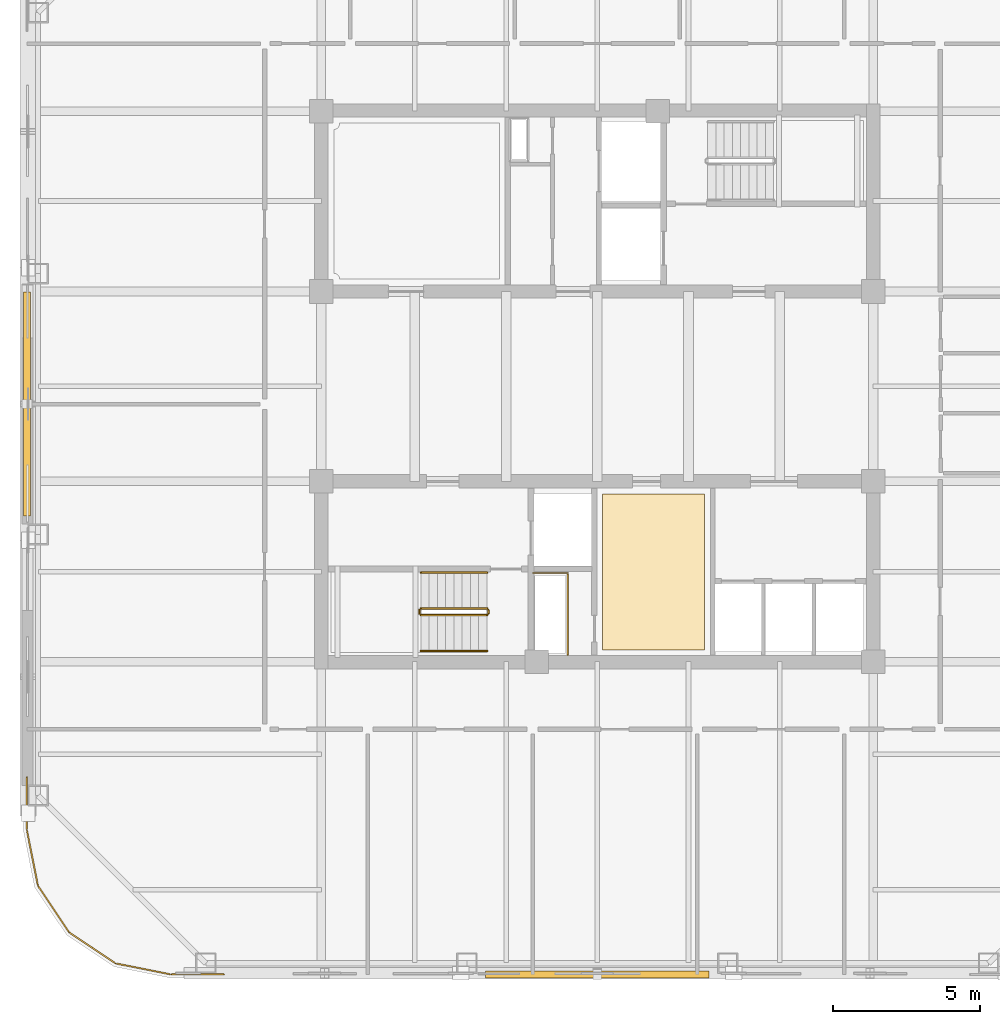
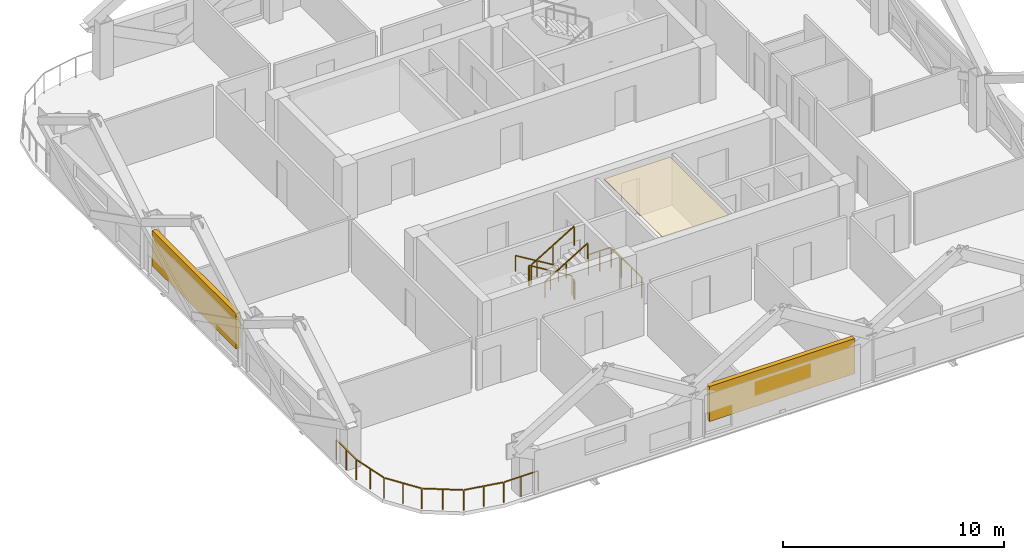
# One storey, part 7 of 9: 8 railings, 2 shading devices, 1 covering.
"""IFC4 building model written with IfcOpenShell, lengths in metres."""

from ifc_helpers import new_model, si_unit, direction, frame, origin, origin_2d, place, context, subcontext, project, spatial, polyline, rectangle, outline, extrude, material, layer, layer_set, type_object, element, save


model = new_model("IFC4")

# Units and contexts
model_context = context("Model", 3, precision=1e-05, world=origin(), true_north=direction((0.0, 1.0)))
body_context = subcontext(model_context, "Body", "Model", "MODEL_VIEW")
ifc_project = project(units=[si_unit("LENGTHUNIT", "METRE"), si_unit("AREAUNIT", "SQUARE_METRE"), si_unit("VOLUMEUNIT", "CUBIC_METRE"), si_unit("PLANEANGLEUNIT", "RADIAN"), si_unit("MASSUNIT", "GRAM", prefix="KILO")], contexts=[model_context])

# Site, building, storey
site_placement = place(None, origin())
site = spatial("IfcSite", under=ifc_project, at=site_placement, CompositionType="ELEMENT")
building_placement = place(site_placement, origin())
building = spatial("IfcBuilding", under=site, at=building_placement, Name="Qhalaya Broadcast Tower", CompositionType="ELEMENT")
storey_placement = place(building_placement, frame((0.0, 0.0, 211.699951171875)))
storey = spatial("IfcBuildingStorey", under=building, at=storey_placement, Name="L62", CompositionType="ELEMENT", Elevation=211.699951171875)

# Covering
ifc_material_1 = material(Name="Acoustic Mineral-Fibre Ceiling")
ifc_layer = layer(ifc_material_1, 0.0400390625, Name="Acoustic Mineral-Fibre Ceiling")
ifc_layer_set = layer_set([ifc_layer], Name="Acoustic Mineral-Fibre Ceiling")
covering_type = type_object("IfcCoveringType", Name="Acoustic Mineral-Fibre Suspended Ceiling CLG-01", PredefinedType="CEILING", material=ifc_layer_set)
covering_placement = place(storey_placement, frame((0.0, 0.0, 2.820068359375)))
element("IfcCovering", 1, at=covering_placement, inside=storey, type_object=covering_type, Name="L62 Acoustic Suspended Ceiling 02", PredefinedType="CEILING", context=body_context, shape_type="SweptSolid", body=[
    extrude(outline(polyline([(0.179931640625, -3.050048828125), (0.179931640625, -8.35009765625), (3.639892578125, -8.35009765625), (3.639892578125, -3.050048828125), (0.179931640625, -3.050048828125)])), origin(), (0.0, 0.0, 1.0), 0.0400390625),
])

# Railings
ifc_material_2 = material(Name="Powder-Coated Galvanised Steel", Category="steel")
railing_type_1 = type_object("IfcRailingType", Name="Stair Wall Handrail 900", PredefinedType="HANDRAIL", material=ifc_material_2)
railing_1_placement = place(storey_placement, frame((-3.75, -5.72998046875, 0.16943359375)))
element("IfcRailing", 2, at=railing_1_placement, inside=storey, type_object=railing_type_1, Name="L62 ST-2 Stair Handrail 1", PredefinedType="HANDRAIL", context=body_context, shape_type="SweptSolid", body=[
    extrude(rectangle(XDim=0.048095703125, YDim=0.048095703125, at=origin_2d()), frame((0.0, 0.0, 0.8759765625), z_axis=(-0.855512035549, 0.0, 0.517782924622), x_axis=(0.0, -1.0, 0.0)), (0.0, 0.0, 1.0), 2.618408203125),
    extrude(rectangle(XDim=0.0419921875, YDim=0.0419921875, at=origin_2d()), origin(), (0.0, 0.0, 1.0), 0.849853515625),
    extrude(rectangle(XDim=0.0419921875, YDim=0.0419921875, at=origin_2d()), frame((-1.1201171875, 0.0, 0.677734375)), (0.0, 0.0, 1.0), 0.849853515625),
    extrude(rectangle(XDim=0.0419921875, YDim=0.0419921875, at=origin_2d()), frame((-2.239990234375, 0.0, 1.355712890625)), (0.0, 0.0, 1.0), 0.849853515625),
])
railing_2_placement = place(storey_placement, frame((-5.989990234375, -8.389892578125, 1.694580078125)))
element("IfcRailing", 3, at=railing_2_placement, inside=storey, type_object=railing_type_1, Name="L62 ST-2 Stair Handrail 2", PredefinedType="HANDRAIL", context=body_context, shape_type="SweptSolid", body=[
    extrude(rectangle(XDim=0.048095703125, YDim=0.048095703125, at=origin_2d()), frame((0.0, 0.0, 0.8759765625), z_axis=(0.855553338991, 0.0, 0.51771467445), x_axis=(0.0, 1.0, 0.0)), (0.0, 0.0, 1.0), 2.6181640625),
    extrude(rectangle(XDim=0.0419921875, YDim=0.0419921875, at=origin_2d()), origin(), (0.0, 0.0, 1.0), 0.849853515625),
    extrude(rectangle(XDim=0.0419921875, YDim=0.0419921875, at=origin_2d()), frame((1.1201171875, 0.0, 0.677734375)), (0.0, 0.0, 1.0), 0.849853515625),
    extrude(rectangle(XDim=0.0419921875, YDim=0.0419921875, at=origin_2d()), frame((2.239990234375, 0.0, 1.35546875)), (0.0, 0.0, 1.0), 0.849853515625),
])
railing_type_2 = type_object("IfcRailingType", Name="Stair Well & Landing Guardrail 1100", PredefinedType="GUARDRAIL", material=ifc_material_2)
railing_3_placement = place(storey_placement, frame((-1.0, -8.52001953125, 0.0)))
element("IfcRailing", 4, at=railing_3_placement, inside=storey, type_object=railing_type_2, Name="L62 Service Riser Opening Safety Guard SRSR", PredefinedType="GUARDRAIL", context=body_context, shape_type="SweptSolid", body=[
    extrude(rectangle(XDim=0.048095703125, YDim=0.048095703125, at=origin_2d()), frame((0.0, 0.0, 1.1259765625), z_axis=(0.0, 1.0, 0.0), x_axis=(-1.0, 0.0, 0.0)), (0.0, 0.0, 1.0), 2.751220703125),
    extrude(rectangle(XDim=0.048095703125, YDim=0.048095703125, at=origin_2d()), frame((-0.02880859375, 2.780029296875, 1.1259765625), z_axis=(-1.0, 0.0, 0.0), x_axis=(0.0, -1.0, 0.0)), (0.0, 0.0, 1.0), 1.151123046875),
    extrude(rectangle(XDim=0.0419921875, YDim=0.0419921875, at=origin_2d()), origin(), (0.0, 0.0, 1.0), 1.099853515625),
    extrude(rectangle(XDim=0.0419921875, YDim=0.0419921875, at=origin_2d()), frame((0.0, 0.9267578125, 0.0)), (0.0, 0.0, 1.0), 1.099853515625),
    extrude(rectangle(XDim=0.0419921875, YDim=0.0419921875, at=origin_2d()), frame((0.0, 1.853271484375, 0.0)), (0.0, 0.0, 1.0), 1.099853515625),
    extrude(rectangle(XDim=0.0419921875, YDim=0.0419921875, at=origin_2d()), frame((0.0, 2.780029296875, 0.0)), (0.0, 0.0, 1.0), 1.099853515625),
    extrude(rectangle(XDim=0.0419921875, YDim=0.0419921875, at=origin_2d()), frame((-0.58984375, 2.780029296875, 0.0)), (0.0, 0.0, 1.0), 1.099853515625),
    extrude(rectangle(XDim=0.0419921875, YDim=0.0419921875, at=origin_2d()), frame((-1.179931640625, 2.780029296875, 0.0)), (0.0, 0.0, 1.0), 1.099853515625),
])
railing_4_placement = place(storey_placement, frame((-3.75, -6.949951171875, 0.16943359375)))
element("IfcRailing", 5, at=railing_4_placement, inside=storey, type_object=railing_type_2, Name="L62 ST-2 Stair Guard 1", PredefinedType="GUARDRAIL", context=body_context, shape_type="SweptSolid", body=[
    extrude(rectangle(XDim=0.048095703125, YDim=0.048095703125, at=origin_2d()), frame((0.0, 0.0, 1.076171875), z_axis=(-0.855512035549, 0.0, 0.517782924622), x_axis=(0.0, -1.0, 0.0)), (0.0, 0.0, 1.0), 2.618408203125),
    extrude(rectangle(XDim=0.0419921875, YDim=0.0419921875, at=origin_2d()), origin(), (0.0, 0.0, 1.0), 1.050048828125),
    extrude(rectangle(XDim=0.0419921875, YDim=0.0419921875, at=origin_2d()), frame((-1.1201171875, 0.0, 0.677734375)), (0.0, 0.0, 1.0), 1.050048828125),
    extrude(rectangle(XDim=0.0419921875, YDim=0.0419921875, at=origin_2d()), frame((-2.239990234375, 0.0, 1.355712890625)), (0.0, 0.0, 1.0), 1.050048828125),
])
railing_5_placement = place(storey_placement, frame((-6.0400390625, -7.0, 1.525146484375)))
element("IfcRailing", 6, at=railing_5_placement, inside=storey, type_object=railing_type_2, Name="L62 ST-2 Stair Guard 2", PredefinedType="GUARDRAIL", context=body_context, shape_type="SweptSolid", body=[
    extrude(rectangle(XDim=0.048095703125, YDim=0.048095703125, at=origin_2d()), frame((0.0, 0.0, 1.076171875), z_axis=(0.0, -1.0, 0.0), x_axis=(1.0, 0.0, 0.0)), (0.0, 0.0, 1.0), 0.1201171875),
    extrude(rectangle(XDim=0.0419921875, YDim=0.0419921875, at=origin_2d()), origin(), (0.0, 0.0, 1.0), 1.050048828125),
    extrude(rectangle(XDim=0.0419921875, YDim=0.0419921875, at=origin_2d()), frame((0.0, -0.1201171875, 0.0)), (0.0, 0.0, 1.0), 1.050048828125),
])
railing_6_placement = place(storey_placement, frame((-5.989990234375, -7.169921875, 1.694580078125)))
element("IfcRailing", 7, at=railing_6_placement, inside=storey, type_object=railing_type_2, Name="L62 ST-2 Stair Guard 3", PredefinedType="GUARDRAIL", context=body_context, shape_type="SweptSolid", body=[
    extrude(rectangle(XDim=0.048095703125, YDim=0.048095703125, at=origin_2d()), frame((0.0, 0.0, 1.076171875), z_axis=(0.855553338991, 0.0, 0.51771467445), x_axis=(0.0, 1.0, 0.0)), (0.0, 0.0, 1.0), 2.6181640625),
    extrude(rectangle(XDim=0.0419921875, YDim=0.0419921875, at=origin_2d()), origin(), (0.0, 0.0, 1.0), 1.050048828125),
    extrude(rectangle(XDim=0.0419921875, YDim=0.0419921875, at=origin_2d()), frame((1.1201171875, 0.0, 0.677734375)), (0.0, 0.0, 1.0), 1.050048828125),
    extrude(rectangle(XDim=0.0419921875, YDim=0.0419921875, at=origin_2d()), frame((2.239990234375, 0.0, 1.35546875)), (0.0, 0.0, 1.0), 1.050048828125),
])
railing_7_placement = place(storey_placement, frame((-3.699951171875, -7.0, 0.0)))
element("IfcRailing", 8, at=railing_7_placement, inside=storey, type_object=railing_type_2, Name="L62 ST-2 Stair Guard 4", PredefinedType="GUARDRAIL", context=body_context, shape_type="SweptSolid", body=[
    extrude(rectangle(XDim=0.048095703125, YDim=0.048095703125, at=origin_2d()), frame((0.0, 0.0, 1.076171875), z_axis=(0.0, -1.0, 0.0), x_axis=(1.0, 0.0, 0.0)), (0.0, 0.0, 1.0), 0.1201171875),
    extrude(rectangle(XDim=0.0419921875, YDim=0.0419921875, at=origin_2d()), origin(), (0.0, 0.0, 1.0), 1.050048828125),
    extrude(rectangle(XDim=0.0419921875, YDim=0.0419921875, at=origin_2d()), frame((0.0, -0.1201171875, 0.0)), (0.0, 0.0, 1.0), 1.050048828125),
])
railing_type_3 = type_object("IfcRailingType", Name="Terrace, Sky-Pool & Lookout Glass Balustrade 1150", PredefinedType="BALUSTRADE", material=ifc_material_2)
railing_8_placement = place(storey_placement, frame((-12.681884765625, -19.3798828125, 0.0)))
element("IfcRailing", 9, at=railing_8_placement, inside=storey, type_object=railing_type_3, Name="L62 Rounded Corner Perimeter Guard 02", PredefinedType="BALUSTRADE", context=body_context, shape_type="SweptSolid", body=[
    extrude(rectangle(XDim=0.048095703125, YDim=0.048095703125, at=origin_2d()), frame((0.0, 0.0, 1.1259765625), z_axis=(-1.0, 0.0, 0.0), x_axis=(0.0, -1.0, 0.0)), (0.0, 0.0, 1.0), 1.777587890625),
    extrude(rectangle(XDim=0.048095703125, YDim=0.048095703125, at=origin_2d()), frame((-1.834716796875, 0.005615234375, 1.1259765625), z_axis=(-0.980795810058, 0.195037378397, 0.0), x_axis=(-0.195037378397, -0.980795810058, 0.0)), (0.0, 0.0, 1.0), 1.857421875),
    extrude(rectangle(XDim=0.048095703125, YDim=0.048095703125, at=origin_2d()), frame((-3.708740234375, 0.3896484375, 1.1259765625), z_axis=(-0.831437950597, 0.555617615188, 0.0), x_axis=(-0.555617615188, -0.831437950597, 0.0)), (0.0, 0.0, 1.0), 1.845458984375),
    extrude(rectangle(XDim=0.048095703125, YDim=0.048095703125, at=origin_2d()), frame((-5.283203125, 1.454833984375, 1.1259765625), z_axis=(-0.555617615188, 0.831437950597, 0.0), x_axis=(-0.831437950597, -0.555617615188, 0.0)), (0.0, 0.0, 1.0), 1.845458984375),
    extrude(rectangle(XDim=0.048095703125, YDim=0.048095703125, at=origin_2d()), frame((-6.330078125, 3.04150390625, 1.1259765625), z_axis=(-0.195037378397, 0.980795810058, 0.0), x_axis=(-0.980795810058, -0.195037378397, 0.0)), (0.0, 0.0, 1.0), 1.857421875),
    extrude(rectangle(XDim=0.048095703125, YDim=0.048095703125, at=origin_2d()), frame((-6.697998046875, 4.92041015625, 1.1259765625), z_axis=(0.0, 1.0, 0.0), x_axis=(-1.0, 0.0, 0.0)), (0.0, 0.0, 1.0), 1.777587890625),
    extrude(rectangle(XDim=0.0419921875, YDim=0.0419921875, at=origin_2d()), origin(), (0.0, 0.0, 1.0), 1.099853515625),
    extrude(rectangle(XDim=0.0419921875, YDim=0.0419921875, at=origin_2d()), frame((-0.9033203125, 0.0, 0.0)), (0.0, 0.0, 1.0), 1.099853515625),
    extrude(rectangle(XDim=0.0419921875, YDim=0.0419921875, at=origin_2d()), frame((-1.806396484375, 0.0, 0.0)), (0.0, 0.0, 1.0), 1.099853515625),
    extrude(rectangle(XDim=0.0419921875, YDim=0.0419921875, at=origin_2d()), frame((-2.74560546875, 0.186767578125, 0.0)), (0.0, 0.0, 1.0), 1.099853515625),
    extrude(rectangle(XDim=0.0419921875, YDim=0.0419921875, at=origin_2d()), frame((-3.684814453125, 0.37353515625, 0.0)), (0.0, 0.0, 1.0), 1.099853515625),
    extrude(rectangle(XDim=0.0419921875, YDim=0.0419921875, at=origin_2d()), frame((-4.47607421875, 0.90234375, 0.0)), (0.0, 0.0, 1.0), 1.099853515625),
    extrude(rectangle(XDim=0.0419921875, YDim=0.0419921875, at=origin_2d()), frame((-5.26708984375, 1.430908203125, 0.0)), (0.0, 0.0, 1.0), 1.099853515625),
    extrude(rectangle(XDim=0.0419921875, YDim=0.0419921875, at=origin_2d()), frame((-5.7958984375, 2.22216796875, 0.0)), (0.0, 0.0, 1.0), 1.099853515625),
    extrude(rectangle(XDim=0.0419921875, YDim=0.0419921875, at=origin_2d()), frame((-6.324462890625, 3.01318359375, 0.0)), (0.0, 0.0, 1.0), 1.099853515625),
    extrude(rectangle(XDim=0.0419921875, YDim=0.0419921875, at=origin_2d()), frame((-6.51123046875, 3.952392578125, 0.0)), (0.0, 0.0, 1.0), 1.099853515625),
    extrude(rectangle(XDim=0.0419921875, YDim=0.0419921875, at=origin_2d()), frame((-6.697998046875, 4.8916015625, 0.0)), (0.0, 0.0, 1.0), 1.099853515625),
    extrude(rectangle(XDim=0.0419921875, YDim=0.0419921875, at=origin_2d()), frame((-6.697998046875, 5.794921875, 0.0)), (0.0, 0.0, 1.0), 1.099853515625),
    extrude(rectangle(XDim=0.0419921875, YDim=0.0419921875, at=origin_2d()), frame((-6.697998046875, 6.697998046875, 0.0)), (0.0, 0.0, 1.0), 1.099853515625),
])

# Shading devices
ifc_material_3 = material(Name="Fired Architectural Terracotta", Category="masonry")
shading_device_type = type_object("IfcShadingDeviceType", Name="Terracotta Baguette Solar Screen Assembly TBS-01", PredefinedType="USERDEFINED", material=ifc_material_3)
for number, where, z_axis, x_axis, name in (
    (10, (0.0, -19.3798828125, 0.80078125), (0.0, 0.0, 1.0), (1.0, 0.0, 0.0), "L62 Fired Terracotta Baguette Screen S"),
    (11, (-19.3798828125, 0.0, 0.80078125), (0.0, 0.0, 1.0), (0.0, -1.0, 0.0), "L62 Fired Terracotta Baguette Screen W"),
):
    element("IfcShadingDevice", number, at=place(storey_placement, frame(where, z_axis=z_axis, x_axis=x_axis)), inside=storey, type_object=shading_device_type, Name=name, ObjectType="BAGUETTE", PredefinedType="USERDEFINED", context=body_context, shape_type="SweptSolid", body=[
        extrude(rectangle(XDim=7.60009765625, YDim=0.239990234375, at=origin_2d()), origin(), (0.0, 0.0, 1.0), 1.945068359375),
    ])

save(model, "model.ifc")
